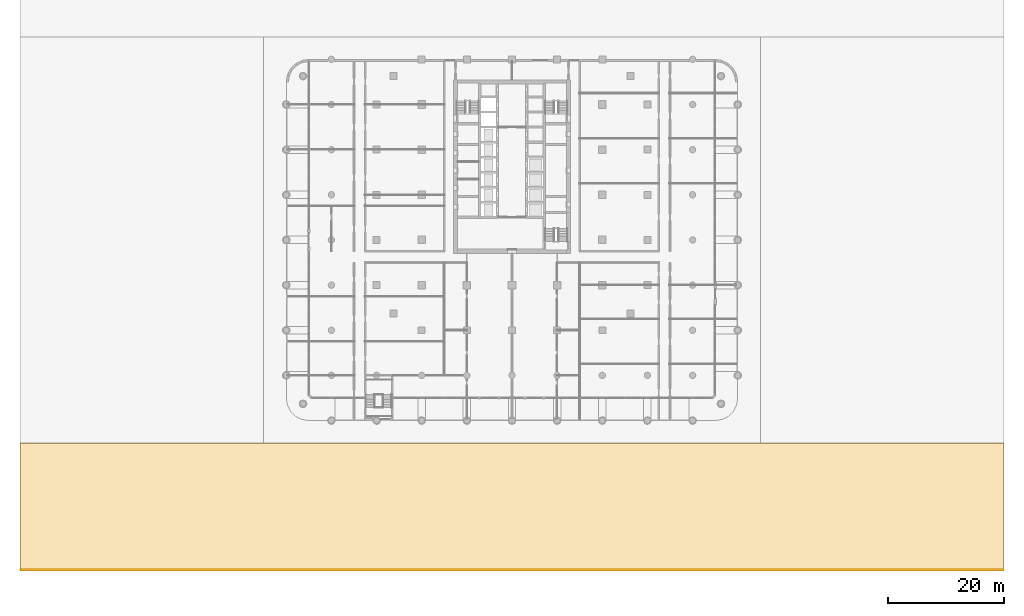
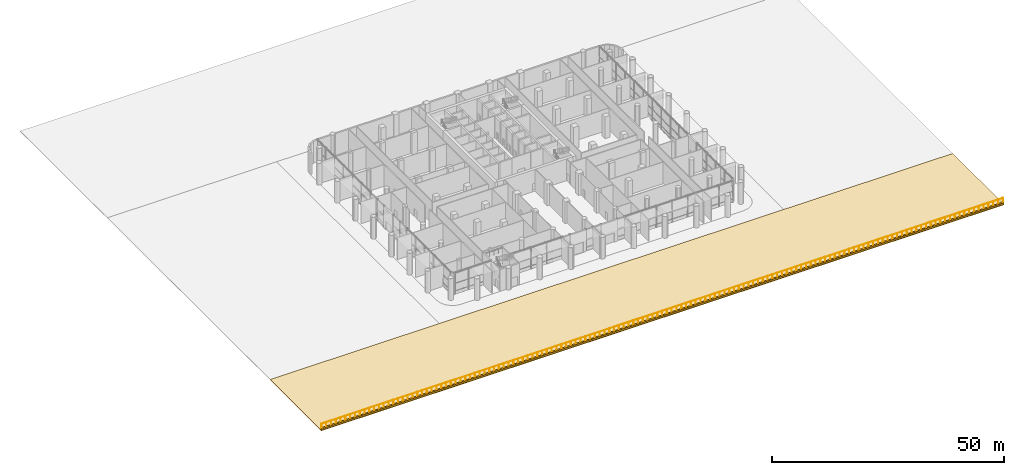
# One storey, part 24 of 32: 2 coverings, 1 railing.
"""IFC4 building model written with IfcOpenShell, lengths in metres."""

from ifc_helpers import new_model, si_unit, direction, frame, origin, origin_2d, place, context, subcontext, project, spatial, polyline, circle, outline, extrude, material, layer, layer_set, type_object, element, save


model = new_model("IFC4")

# Units and contexts
model_context = context("Model", 3, precision=1e-05, world=origin(), true_north=direction((0.0, 1.0)))
body_context = subcontext(model_context, "Body", "Model", "MODEL_VIEW")
ifc_project = project(units=[si_unit("LENGTHUNIT", "METRE"), si_unit("AREAUNIT", "SQUARE_METRE"), si_unit("VOLUMEUNIT", "CUBIC_METRE"), si_unit("PLANEANGLEUNIT", "RADIAN"), si_unit("MASSUNIT", "GRAM", prefix="KILO")], contexts=[model_context])

# Site, building, storey
site_placement = place(None, origin())
site = spatial("IfcSite", under=ifc_project, at=site_placement, CompositionType="ELEMENT")
building_placement = place(site_placement, origin())
building = spatial("IfcBuilding", under=site, at=building_placement, Name="Ludao Terraces", CompositionType="ELEMENT")
storey_placement = place(building_placement, origin())
storey = spatial("IfcBuildingStorey", under=building, at=storey_placement, Name="L00", CompositionType="ELEMENT", Elevation=0.0)

# Coverings
ifc_material_1 = material(Name="Granite paving", Category="masonry")
ifc_layer_1 = layer(ifc_material_1, 0.14990234375)
ifc_layer_set_1 = layer_set([ifc_layer_1], Name="ENV Paving 150")
covering_type_1 = type_object("IfcCoveringType", Name="ENV Paving 150", PredefinedType="USERDEFINED", material=ifc_layer_set_1)
covering_1_placement = place(storey_placement, frame((0.0, 0.0, -0.14990234375)))
element("IfcCovering", 1, at=covering_1_placement, inside=storey, type_object=covering_type_1, Name="Promenade paving", ObjectType="PAVING", PredefinedType="USERDEFINED", context=body_context, shape_type="SweptSolid", body=[
    extrude(outline(polyline([(0.0, 0.0), (170.0, 0.0), (170.0, 22.10009765625), (0.0, 22.10009765625), (0.0, 0.0)])), origin(), (0.0, 0.0, 1.0), 0.14990234375),
])
ifc_material_2 = material(Name="Granite kerb", Category="masonry")
ifc_layer_2 = layer(ifc_material_2, 0.39990234375)
ifc_layer_set_2 = layer_set([ifc_layer_2], Name="ENV Quay kerb 400")
covering_type_2 = type_object("IfcCoveringType", Name="ENV Quay kerb 400", PredefinedType="FLOORING", material=ifc_layer_set_2)
covering_2_placement = place(storey_placement, origin())
element("IfcCovering", 2, at=covering_2_placement, inside=storey, type_object=covering_type_2, Name="Quay kerb", PredefinedType="FLOORING", context=body_context, shape_type="SweptSolid", body=[
    extrude(outline(polyline([(0.0, 0.0), (170.0, 0.0), (170.0, 0.39990234375), (0.0, 0.39990234375), (0.0, 0.0)])), origin(), (0.0, 0.0, 1.0), 0.39990234375),
])

# Railing
ifc_material_3 = material(Name="Stainless steel 304", Category="steel")
railing_type = type_object("IfcRailingType", Name="ENV Terrace glass guard 1200", PredefinedType="GUARDRAIL", material=ifc_material_3)
railing_placement = place(storey_placement, frame((0.14990234375, 0.199951171875, 0.39990234375)))
element("IfcRailing", 3, at=railing_placement, inside=storey, type_object=railing_type, Name="Quay edge guard", PredefinedType="GUARDRAIL", context=body_context, shape_type="SweptSolid", body=[
    extrude(circle(Radius=0.02392578125, at=origin_2d()), frame((0.0, 0.0, 1.17578125), z_axis=(1.0, 0.0, 0.0), x_axis=(0.0, 1.0, 0.0)), (0.0, 0.0, 1.0), 169.7001953125),
    extrude(circle(Radius=0.02099609375, at=origin_2d()), origin(), (0.0, 0.0, 1.0), 1.15185546875),
    extrude(circle(Radius=0.02099609375, at=origin_2d()), frame((1.195068359375, 0.0, 0.0)), (0.0, 0.0, 1.0), 1.15185546875),
    extrude(circle(Radius=0.02099609375, at=origin_2d()), frame((2.39013671875, 0.0, 0.0)), (0.0, 0.0, 1.0), 1.15185546875),
    extrude(circle(Radius=0.02099609375, at=origin_2d()), frame((3.585205078125, 0.0, 0.0)), (0.0, 0.0, 1.0), 1.15185546875),
    extrude(circle(Radius=0.02099609375, at=origin_2d()), frame((4.7802734375, 0.0, 0.0)), (0.0, 0.0, 1.0), 1.15185546875),
    extrude(circle(Radius=0.02099609375, at=origin_2d()), frame((5.975341796875, 0.0, 0.0)), (0.0, 0.0, 1.0), 1.15185546875),
    extrude(circle(Radius=0.02099609375, at=origin_2d()), frame((7.17041015625, 0.0, 0.0)), (0.0, 0.0, 1.0), 1.15185546875),
    extrude(circle(Radius=0.02099609375, at=origin_2d()), frame((8.365478515625, 0.0, 0.0)), (0.0, 0.0, 1.0), 1.15185546875),
    extrude(circle(Radius=0.02099609375, at=origin_2d()), frame((9.560546875, 0.0, 0.0)), (0.0, 0.0, 1.0), 1.15185546875),
    extrude(circle(Radius=0.02099609375, at=origin_2d()), frame((10.755615234375, 0.0, 0.0)), (0.0, 0.0, 1.0), 1.15185546875),
    extrude(circle(Radius=0.02099609375, at=origin_2d()), frame((11.95068359375, 0.0, 0.0)), (0.0, 0.0, 1.0), 1.15185546875),
    extrude(circle(Radius=0.02099609375, at=origin_2d()), frame((13.145751953125, 0.0, 0.0)), (0.0, 0.0, 1.0), 1.15185546875),
    extrude(circle(Radius=0.02099609375, at=origin_2d()), frame((14.3408203125, 0.0, 0.0)), (0.0, 0.0, 1.0), 1.15185546875),
    extrude(circle(Radius=0.02099609375, at=origin_2d()), frame((15.535888671875, 0.0, 0.0)), (0.0, 0.0, 1.0), 1.15185546875),
    extrude(circle(Radius=0.02099609375, at=origin_2d()), frame((16.73095703125, 0.0, 0.0)), (0.0, 0.0, 1.0), 1.15185546875),
    extrude(circle(Radius=0.02099609375, at=origin_2d()), frame((17.926025390625, 0.0, 0.0)), (0.0, 0.0, 1.0), 1.15185546875),
    extrude(circle(Radius=0.02099609375, at=origin_2d()), frame((19.12109375, 0.0, 0.0)), (0.0, 0.0, 1.0), 1.15185546875),
    extrude(circle(Radius=0.02099609375, at=origin_2d()), frame((20.316162109375, 0.0, 0.0)), (0.0, 0.0, 1.0), 1.15185546875),
    extrude(circle(Radius=0.02099609375, at=origin_2d()), frame((21.51123046875, 0.0, 0.0)), (0.0, 0.0, 1.0), 1.15185546875),
    extrude(circle(Radius=0.02099609375, at=origin_2d()), frame((22.706298828125, 0.0, 0.0)), (0.0, 0.0, 1.0), 1.15185546875),
    extrude(circle(Radius=0.02099609375, at=origin_2d()), frame((23.9013671875, 0.0, 0.0)), (0.0, 0.0, 1.0), 1.15185546875),
    extrude(circle(Radius=0.02099609375, at=origin_2d()), frame((25.096435546875, 0.0, 0.0)), (0.0, 0.0, 1.0), 1.15185546875),
    extrude(circle(Radius=0.02099609375, at=origin_2d()), frame((26.29150390625, 0.0, 0.0)), (0.0, 0.0, 1.0), 1.15185546875),
    extrude(circle(Radius=0.02099609375, at=origin_2d()), frame((27.486572265625, 0.0, 0.0)), (0.0, 0.0, 1.0), 1.15185546875),
    extrude(circle(Radius=0.02099609375, at=origin_2d()), frame((28.681640625, 0.0, 0.0)), (0.0, 0.0, 1.0), 1.15185546875),
    extrude(circle(Radius=0.02099609375, at=origin_2d()), frame((29.876708984375, 0.0, 0.0)), (0.0, 0.0, 1.0), 1.15185546875),
    extrude(circle(Radius=0.02099609375, at=origin_2d()), frame((31.07177734375, 0.0, 0.0)), (0.0, 0.0, 1.0), 1.15185546875),
    extrude(circle(Radius=0.02099609375, at=origin_2d()), frame((32.266845703125, 0.0, 0.0)), (0.0, 0.0, 1.0), 1.15185546875),
    extrude(circle(Radius=0.02099609375, at=origin_2d()), frame((33.4619140625, 0.0, 0.0)), (0.0, 0.0, 1.0), 1.15185546875),
    extrude(circle(Radius=0.02099609375, at=origin_2d()), frame((34.656982421875, 0.0, 0.0)), (0.0, 0.0, 1.0), 1.15185546875),
    extrude(circle(Radius=0.02099609375, at=origin_2d()), frame((35.85205078125, 0.0, 0.0)), (0.0, 0.0, 1.0), 1.15185546875),
    extrude(circle(Radius=0.02099609375, at=origin_2d()), frame((37.047119140625, 0.0, 0.0)), (0.0, 0.0, 1.0), 1.15185546875),
    extrude(circle(Radius=0.02099609375, at=origin_2d()), frame((38.2421875, 0.0, 0.0)), (0.0, 0.0, 1.0), 1.15185546875),
    extrude(circle(Radius=0.02099609375, at=origin_2d()), frame((39.437255859375, 0.0, 0.0)), (0.0, 0.0, 1.0), 1.15185546875),
    extrude(circle(Radius=0.02099609375, at=origin_2d()), frame((40.63232421875, 0.0, 0.0)), (0.0, 0.0, 1.0), 1.15185546875),
    extrude(circle(Radius=0.02099609375, at=origin_2d()), frame((41.827392578125, 0.0, 0.0)), (0.0, 0.0, 1.0), 1.15185546875),
    extrude(circle(Radius=0.02099609375, at=origin_2d()), frame((43.022705078125, 0.0, 0.0)), (0.0, 0.0, 1.0), 1.15185546875),
    extrude(circle(Radius=0.02099609375, at=origin_2d()), frame((44.2177734375, 0.0, 0.0)), (0.0, 0.0, 1.0), 1.15185546875),
    extrude(circle(Radius=0.02099609375, at=origin_2d()), frame((45.412841796875, 0.0, 0.0)), (0.0, 0.0, 1.0), 1.15185546875),
    extrude(circle(Radius=0.02099609375, at=origin_2d()), frame((46.60791015625, 0.0, 0.0)), (0.0, 0.0, 1.0), 1.15185546875),
    extrude(circle(Radius=0.02099609375, at=origin_2d()), frame((47.802978515625, 0.0, 0.0)), (0.0, 0.0, 1.0), 1.15185546875),
    extrude(circle(Radius=0.02099609375, at=origin_2d()), frame((48.998046875, 0.0, 0.0)), (0.0, 0.0, 1.0), 1.15185546875),
    extrude(circle(Radius=0.02099609375, at=origin_2d()), frame((50.193115234375, 0.0, 0.0)), (0.0, 0.0, 1.0), 1.15185546875),
    extrude(circle(Radius=0.02099609375, at=origin_2d()), frame((51.38818359375, 0.0, 0.0)), (0.0, 0.0, 1.0), 1.15185546875),
    extrude(circle(Radius=0.02099609375, at=origin_2d()), frame((52.583251953125, 0.0, 0.0)), (0.0, 0.0, 1.0), 1.15185546875),
    extrude(circle(Radius=0.02099609375, at=origin_2d()), frame((53.7783203125, 0.0, 0.0)), (0.0, 0.0, 1.0), 1.15185546875),
    extrude(circle(Radius=0.02099609375, at=origin_2d()), frame((54.973388671875, 0.0, 0.0)), (0.0, 0.0, 1.0), 1.15185546875),
    extrude(circle(Radius=0.02099609375, at=origin_2d()), frame((56.16845703125, 0.0, 0.0)), (0.0, 0.0, 1.0), 1.15185546875),
    extrude(circle(Radius=0.02099609375, at=origin_2d()), frame((57.363525390625, 0.0, 0.0)), (0.0, 0.0, 1.0), 1.15185546875),
    extrude(circle(Radius=0.02099609375, at=origin_2d()), frame((58.55859375, 0.0, 0.0)), (0.0, 0.0, 1.0), 1.15185546875),
    extrude(circle(Radius=0.02099609375, at=origin_2d()), frame((59.753662109375, 0.0, 0.0)), (0.0, 0.0, 1.0), 1.15185546875),
    extrude(circle(Radius=0.02099609375, at=origin_2d()), frame((60.94873046875, 0.0, 0.0)), (0.0, 0.0, 1.0), 1.15185546875),
    extrude(circle(Radius=0.02099609375, at=origin_2d()), frame((62.143798828125, 0.0, 0.0)), (0.0, 0.0, 1.0), 1.15185546875),
    extrude(circle(Radius=0.02099609375, at=origin_2d()), frame((63.3388671875, 0.0, 0.0)), (0.0, 0.0, 1.0), 1.15185546875),
    extrude(circle(Radius=0.02099609375, at=origin_2d()), frame((64.533935546875, 0.0, 0.0)), (0.0, 0.0, 1.0), 1.15185546875),
    extrude(circle(Radius=0.02099609375, at=origin_2d()), frame((65.72900390625, 0.0, 0.0)), (0.0, 0.0, 1.0), 1.15185546875),
    extrude(circle(Radius=0.02099609375, at=origin_2d()), frame((66.924072265625, 0.0, 0.0)), (0.0, 0.0, 1.0), 1.15185546875),
    extrude(circle(Radius=0.02099609375, at=origin_2d()), frame((68.119140625, 0.0, 0.0)), (0.0, 0.0, 1.0), 1.15185546875),
    extrude(circle(Radius=0.02099609375, at=origin_2d()), frame((69.314208984375, 0.0, 0.0)), (0.0, 0.0, 1.0), 1.15185546875),
    extrude(circle(Radius=0.02099609375, at=origin_2d()), frame((70.50927734375, 0.0, 0.0)), (0.0, 0.0, 1.0), 1.15185546875),
    extrude(circle(Radius=0.02099609375, at=origin_2d()), frame((71.704345703125, 0.0, 0.0)), (0.0, 0.0, 1.0), 1.15185546875),
    extrude(circle(Radius=0.02099609375, at=origin_2d()), frame((72.8994140625, 0.0, 0.0)), (0.0, 0.0, 1.0), 1.15185546875),
    extrude(circle(Radius=0.02099609375, at=origin_2d()), frame((74.094482421875, 0.0, 0.0)), (0.0, 0.0, 1.0), 1.15185546875),
    extrude(circle(Radius=0.02099609375, at=origin_2d()), frame((75.28955078125, 0.0, 0.0)), (0.0, 0.0, 1.0), 1.15185546875),
    extrude(circle(Radius=0.02099609375, at=origin_2d()), frame((76.484619140625, 0.0, 0.0)), (0.0, 0.0, 1.0), 1.15185546875),
    extrude(circle(Radius=0.02099609375, at=origin_2d()), frame((77.6796875, 0.0, 0.0)), (0.0, 0.0, 1.0), 1.15185546875),
    extrude(circle(Radius=0.02099609375, at=origin_2d()), frame((78.874755859375, 0.0, 0.0)), (0.0, 0.0, 1.0), 1.15185546875),
    extrude(circle(Radius=0.02099609375, at=origin_2d()), frame((80.06982421875, 0.0, 0.0)), (0.0, 0.0, 1.0), 1.15185546875),
    extrude(circle(Radius=0.02099609375, at=origin_2d()), frame((81.264892578125, 0.0, 0.0)), (0.0, 0.0, 1.0), 1.15185546875),
    extrude(circle(Radius=0.02099609375, at=origin_2d()), frame((82.4599609375, 0.0, 0.0)), (0.0, 0.0, 1.0), 1.15185546875),
    extrude(circle(Radius=0.02099609375, at=origin_2d()), frame((83.655029296875, 0.0, 0.0)), (0.0, 0.0, 1.0), 1.15185546875),
    extrude(circle(Radius=0.02099609375, at=origin_2d()), frame((84.85009765625, 0.0, 0.0)), (0.0, 0.0, 1.0), 1.15185546875),
    extrude(circle(Radius=0.02099609375, at=origin_2d()), frame((86.045166015625, 0.0, 0.0)), (0.0, 0.0, 1.0), 1.15185546875),
    extrude(circle(Radius=0.02099609375, at=origin_2d()), frame((87.240234375, 0.0, 0.0)), (0.0, 0.0, 1.0), 1.15185546875),
    extrude(circle(Radius=0.02099609375, at=origin_2d()), frame((88.435302734375, 0.0, 0.0)), (0.0, 0.0, 1.0), 1.15185546875),
    extrude(circle(Radius=0.02099609375, at=origin_2d()), frame((89.63037109375, 0.0, 0.0)), (0.0, 0.0, 1.0), 1.15185546875),
    extrude(circle(Radius=0.02099609375, at=origin_2d()), frame((90.825439453125, 0.0, 0.0)), (0.0, 0.0, 1.0), 1.15185546875),
    extrude(circle(Radius=0.02099609375, at=origin_2d()), frame((92.0205078125, 0.0, 0.0)), (0.0, 0.0, 1.0), 1.15185546875),
    extrude(circle(Radius=0.02099609375, at=origin_2d()), frame((93.215576171875, 0.0, 0.0)), (0.0, 0.0, 1.0), 1.15185546875),
    extrude(circle(Radius=0.02099609375, at=origin_2d()), frame((94.41064453125, 0.0, 0.0)), (0.0, 0.0, 1.0), 1.15185546875),
    extrude(circle(Radius=0.02099609375, at=origin_2d()), frame((95.605712890625, 0.0, 0.0)), (0.0, 0.0, 1.0), 1.15185546875),
    extrude(circle(Radius=0.02099609375, at=origin_2d()), frame((96.80078125, 0.0, 0.0)), (0.0, 0.0, 1.0), 1.15185546875),
    extrude(circle(Radius=0.02099609375, at=origin_2d()), frame((97.995849609375, 0.0, 0.0)), (0.0, 0.0, 1.0), 1.15185546875),
    extrude(circle(Radius=0.02099609375, at=origin_2d()), frame((99.19091796875, 0.0, 0.0)), (0.0, 0.0, 1.0), 1.15185546875),
    extrude(circle(Radius=0.02099609375, at=origin_2d()), frame((100.385986328125, 0.0, 0.0)), (0.0, 0.0, 1.0), 1.15185546875),
    extrude(circle(Radius=0.02099609375, at=origin_2d()), frame((101.5810546875, 0.0, 0.0)), (0.0, 0.0, 1.0), 1.15185546875),
    extrude(circle(Radius=0.02099609375, at=origin_2d()), frame((102.776123046875, 0.0, 0.0)), (0.0, 0.0, 1.0), 1.15185546875),
    extrude(circle(Radius=0.02099609375, at=origin_2d()), frame((103.97119140625, 0.0, 0.0)), (0.0, 0.0, 1.0), 1.15185546875),
    extrude(circle(Radius=0.02099609375, at=origin_2d()), frame((105.166259765625, 0.0, 0.0)), (0.0, 0.0, 1.0), 1.15185546875),
    extrude(circle(Radius=0.02099609375, at=origin_2d()), frame((106.361328125, 0.0, 0.0)), (0.0, 0.0, 1.0), 1.15185546875),
    extrude(circle(Radius=0.02099609375, at=origin_2d()), frame((107.556396484375, 0.0, 0.0)), (0.0, 0.0, 1.0), 1.15185546875),
    extrude(circle(Radius=0.02099609375, at=origin_2d()), frame((108.75146484375, 0.0, 0.0)), (0.0, 0.0, 1.0), 1.15185546875),
    extrude(circle(Radius=0.02099609375, at=origin_2d()), frame((109.946533203125, 0.0, 0.0)), (0.0, 0.0, 1.0), 1.15185546875),
    extrude(circle(Radius=0.02099609375, at=origin_2d()), frame((111.1416015625, 0.0, 0.0)), (0.0, 0.0, 1.0), 1.15185546875),
    extrude(circle(Radius=0.02099609375, at=origin_2d()), frame((112.336669921875, 0.0, 0.0)), (0.0, 0.0, 1.0), 1.15185546875),
    extrude(circle(Radius=0.02099609375, at=origin_2d()), frame((113.53173828125, 0.0, 0.0)), (0.0, 0.0, 1.0), 1.15185546875),
    extrude(circle(Radius=0.02099609375, at=origin_2d()), frame((114.726806640625, 0.0, 0.0)), (0.0, 0.0, 1.0), 1.15185546875),
    extrude(circle(Radius=0.02099609375, at=origin_2d()), frame((115.921875, 0.0, 0.0)), (0.0, 0.0, 1.0), 1.15185546875),
    extrude(circle(Radius=0.02099609375, at=origin_2d()), frame((117.116943359375, 0.0, 0.0)), (0.0, 0.0, 1.0), 1.15185546875),
    extrude(circle(Radius=0.02099609375, at=origin_2d()), frame((118.31201171875, 0.0, 0.0)), (0.0, 0.0, 1.0), 1.15185546875),
    extrude(circle(Radius=0.02099609375, at=origin_2d()), frame((119.507080078125, 0.0, 0.0)), (0.0, 0.0, 1.0), 1.15185546875),
    extrude(circle(Radius=0.02099609375, at=origin_2d()), frame((120.7021484375, 0.0, 0.0)), (0.0, 0.0, 1.0), 1.15185546875),
    extrude(circle(Radius=0.02099609375, at=origin_2d()), frame((121.897216796875, 0.0, 0.0)), (0.0, 0.0, 1.0), 1.15185546875),
    extrude(circle(Radius=0.02099609375, at=origin_2d()), frame((123.09228515625, 0.0, 0.0)), (0.0, 0.0, 1.0), 1.15185546875),
    extrude(circle(Radius=0.02099609375, at=origin_2d()), frame((124.287353515625, 0.0, 0.0)), (0.0, 0.0, 1.0), 1.15185546875),
    extrude(circle(Radius=0.02099609375, at=origin_2d()), frame((125.482421875, 0.0, 0.0)), (0.0, 0.0, 1.0), 1.15185546875),
    extrude(circle(Radius=0.02099609375, at=origin_2d()), frame((126.677490234375, 0.0, 0.0)), (0.0, 0.0, 1.0), 1.15185546875),
    extrude(circle(Radius=0.02099609375, at=origin_2d()), frame((127.872802734375, 0.0, 0.0)), (0.0, 0.0, 1.0), 1.15185546875),
    extrude(circle(Radius=0.02099609375, at=origin_2d()), frame((129.06787109375, 0.0, 0.0)), (0.0, 0.0, 1.0), 1.15185546875),
    extrude(circle(Radius=0.02099609375, at=origin_2d()), frame((130.262939453125, 0.0, 0.0)), (0.0, 0.0, 1.0), 1.15185546875),
    extrude(circle(Radius=0.02099609375, at=origin_2d()), frame((131.4580078125, 0.0, 0.0)), (0.0, 0.0, 1.0), 1.15185546875),
    extrude(circle(Radius=0.02099609375, at=origin_2d()), frame((132.653076171875, 0.0, 0.0)), (0.0, 0.0, 1.0), 1.15185546875),
    extrude(circle(Radius=0.02099609375, at=origin_2d()), frame((133.84814453125, 0.0, 0.0)), (0.0, 0.0, 1.0), 1.15185546875),
    extrude(circle(Radius=0.02099609375, at=origin_2d()), frame((135.043212890625, 0.0, 0.0)), (0.0, 0.0, 1.0), 1.15185546875),
    extrude(circle(Radius=0.02099609375, at=origin_2d()), frame((136.23828125, 0.0, 0.0)), (0.0, 0.0, 1.0), 1.15185546875),
    extrude(circle(Radius=0.02099609375, at=origin_2d()), frame((137.433349609375, 0.0, 0.0)), (0.0, 0.0, 1.0), 1.15185546875),
    extrude(circle(Radius=0.02099609375, at=origin_2d()), frame((138.62841796875, 0.0, 0.0)), (0.0, 0.0, 1.0), 1.15185546875),
    extrude(circle(Radius=0.02099609375, at=origin_2d()), frame((139.823486328125, 0.0, 0.0)), (0.0, 0.0, 1.0), 1.15185546875),
    extrude(circle(Radius=0.02099609375, at=origin_2d()), frame((141.0185546875, 0.0, 0.0)), (0.0, 0.0, 1.0), 1.15185546875),
    extrude(circle(Radius=0.02099609375, at=origin_2d()), frame((142.213623046875, 0.0, 0.0)), (0.0, 0.0, 1.0), 1.15185546875),
    extrude(circle(Radius=0.02099609375, at=origin_2d()), frame((143.40869140625, 0.0, 0.0)), (0.0, 0.0, 1.0), 1.15185546875),
    extrude(circle(Radius=0.02099609375, at=origin_2d()), frame((144.603759765625, 0.0, 0.0)), (0.0, 0.0, 1.0), 1.15185546875),
    extrude(circle(Radius=0.02099609375, at=origin_2d()), frame((145.798828125, 0.0, 0.0)), (0.0, 0.0, 1.0), 1.15185546875),
    extrude(circle(Radius=0.02099609375, at=origin_2d()), frame((146.993896484375, 0.0, 0.0)), (0.0, 0.0, 1.0), 1.15185546875),
    extrude(circle(Radius=0.02099609375, at=origin_2d()), frame((148.18896484375, 0.0, 0.0)), (0.0, 0.0, 1.0), 1.15185546875),
    extrude(circle(Radius=0.02099609375, at=origin_2d()), frame((149.384033203125, 0.0, 0.0)), (0.0, 0.0, 1.0), 1.15185546875),
    extrude(circle(Radius=0.02099609375, at=origin_2d()), frame((150.5791015625, 0.0, 0.0)), (0.0, 0.0, 1.0), 1.15185546875),
    extrude(circle(Radius=0.02099609375, at=origin_2d()), frame((151.774169921875, 0.0, 0.0)), (0.0, 0.0, 1.0), 1.15185546875),
    extrude(circle(Radius=0.02099609375, at=origin_2d()), frame((152.96923828125, 0.0, 0.0)), (0.0, 0.0, 1.0), 1.15185546875),
    extrude(circle(Radius=0.02099609375, at=origin_2d()), frame((154.164306640625, 0.0, 0.0)), (0.0, 0.0, 1.0), 1.15185546875),
    extrude(circle(Radius=0.02099609375, at=origin_2d()), frame((155.359375, 0.0, 0.0)), (0.0, 0.0, 1.0), 1.15185546875),
    extrude(circle(Radius=0.02099609375, at=origin_2d()), frame((156.554443359375, 0.0, 0.0)), (0.0, 0.0, 1.0), 1.15185546875),
    extrude(circle(Radius=0.02099609375, at=origin_2d()), frame((157.74951171875, 0.0, 0.0)), (0.0, 0.0, 1.0), 1.15185546875),
    extrude(circle(Radius=0.02099609375, at=origin_2d()), frame((158.944580078125, 0.0, 0.0)), (0.0, 0.0, 1.0), 1.15185546875),
    extrude(circle(Radius=0.02099609375, at=origin_2d()), frame((160.1396484375, 0.0, 0.0)), (0.0, 0.0, 1.0), 1.15185546875),
    extrude(circle(Radius=0.02099609375, at=origin_2d()), frame((161.334716796875, 0.0, 0.0)), (0.0, 0.0, 1.0), 1.15185546875),
    extrude(circle(Radius=0.02099609375, at=origin_2d()), frame((162.52978515625, 0.0, 0.0)), (0.0, 0.0, 1.0), 1.15185546875),
    extrude(circle(Radius=0.02099609375, at=origin_2d()), frame((163.724853515625, 0.0, 0.0)), (0.0, 0.0, 1.0), 1.15185546875),
    extrude(circle(Radius=0.02099609375, at=origin_2d()), frame((164.919921875, 0.0, 0.0)), (0.0, 0.0, 1.0), 1.15185546875),
    extrude(circle(Radius=0.02099609375, at=origin_2d()), frame((166.114990234375, 0.0, 0.0)), (0.0, 0.0, 1.0), 1.15185546875),
    extrude(circle(Radius=0.02099609375, at=origin_2d()), frame((167.31005859375, 0.0, 0.0)), (0.0, 0.0, 1.0), 1.15185546875),
    extrude(circle(Radius=0.02099609375, at=origin_2d()), frame((168.505126953125, 0.0, 0.0)), (0.0, 0.0, 1.0), 1.15185546875),
    extrude(circle(Radius=0.02099609375, at=origin_2d()), frame((169.7001953125, 0.0, 0.0)), (0.0, 0.0, 1.0), 1.15185546875),
])

save(model, "model.ifc")
